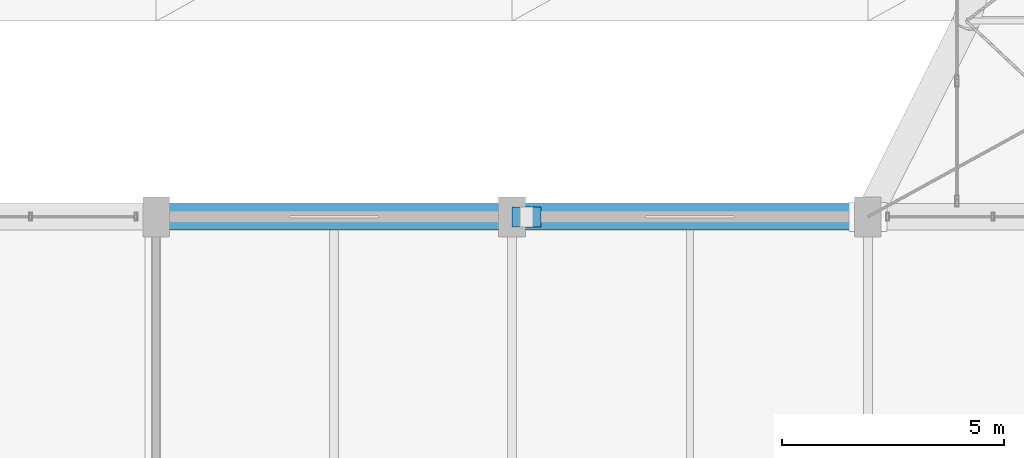
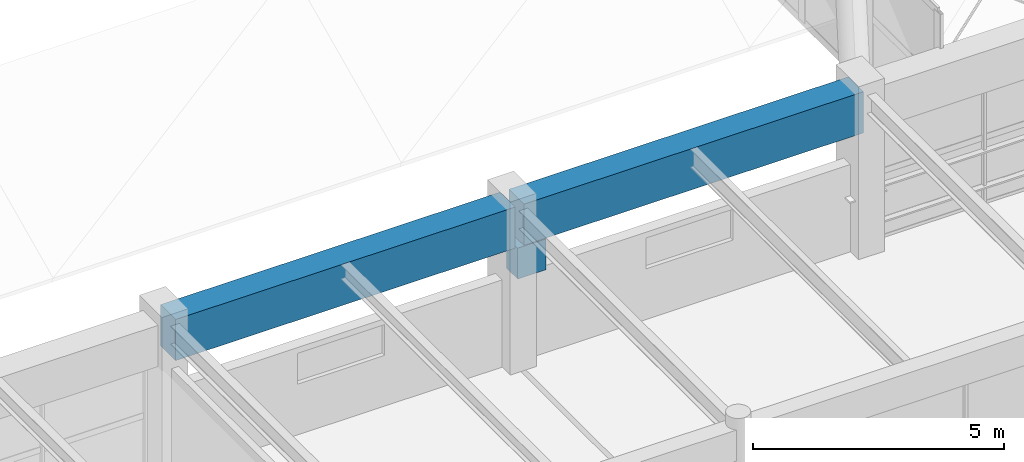
# One storey, part 32 of 126: 3 beams.
"""IFC4 building model written with IfcOpenShell, lengths in metres."""

import ifcopenshell
import ifcopenshell.guid

model = None  # the IFC model being written
_history = None  # IfcOwnerHistory: only IFC2X3 demands one
_inside = {}  # id of a spatial element -> (the spatial element, [elements in it])
_under = {}  # id of a project, library or spatial element -> (it, [spatial elements below it])
_declared = {}  # id of a project -> (the project, [libraries it declares])
_typed = {}  # id of a type object -> (the type object, [elements of that type])
_made_of = {}  # id of a material, layer set ... -> (it, [elements and type objects made of it])


def new_model(schema):
    """Start an empty IFC model of exactly this schema.

    Asked for "IFC4X3", IfcOpenShell would pick the latest addendum, in which some entities
    have other attributes; the version numbers below select the first issue.
    IFC2X3 requires an IfcOwnerHistory on every rooted entity: one is made here for all.
    """
    global model, _history
    if schema == "IFC4X3":
        model = ifcopenshell.file(schema_version=(4, 3, 0, 0))
    else:
        model = ifcopenshell.file(schema=schema)
    _inside.clear()
    _under.clear()
    _declared.clear()
    _typed.clear()
    _made_of.clear()
    _history = None
    if model.schema == "IFC2X3":
        org = make("IfcOrganization", Name="unknown")
        user = make(
            "IfcPersonAndOrganization",
            ThePerson=make("IfcPerson", FamilyName="unknown"),
            TheOrganization=org,
        )
        app = make(
            "IfcApplication",
            ApplicationDeveloper=org,
            Version="unknown",
            ApplicationFullName="unknown",
            ApplicationIdentifier="unknown",
        )
        _history = make(
            "IfcOwnerHistory",
            OwningUser=user,
            OwningApplication=app,
            ChangeAction="ADDED",
            CreationDate=0,
        )
    return model


def make(cls, **values):
    """One entity of the class cls with the attributes given. An attribute that is None is left unset."""
    return model.create_entity(
        cls, **{name: value for name, value in values.items() if value is not None}
    )


def rooted(cls, **values):
    """An entity with a GlobalId (a new one), such as an element, a storey or a relation."""
    return make(cls, GlobalId=ifcopenshell.guid.new(), OwnerHistory=_history, **values)


def si_unit(unit_type, name, prefix=None):
    """IfcSIUnit, for example si_unit("LENGTHUNIT", "METRE", prefix="MILLI")."""
    return make("IfcSIUnit", UnitType=unit_type, Prefix=prefix, Name=name)


def assignment(units):
    """IfcUnitAssignment: the units of a project."""
    return None if units is None else make("IfcUnitAssignment", Units=units)


def point(xyz):
    """IfcCartesianPoint."""
    return None if xyz is None else make("IfcCartesianPoint", Coordinates=xyz)


def direction(xyz):
    """IfcDirection."""
    return None if xyz is None else make("IfcDirection", DirectionRatios=xyz)


def frame(location, z_axis=None, x_axis=None):
    """IfcAxis2Placement3D, a coordinate frame: its origin and axes. An axis left out is left unset."""
    return make(
        "IfcAxis2Placement3D",
        Location=point(location),
        Axis=direction(z_axis),
        RefDirection=direction(x_axis),
    )


def frame_2d(location, x_axis=None):
    """IfcAxis2Placement2D, a coordinate frame in the plane: its origin and x axis."""
    return make(
        "IfcAxis2Placement2D", Location=point(location), RefDirection=direction(x_axis)
    )


def origin():
    """The frame at (0, 0, 0) with its axes left unset."""
    return frame((0.0, 0.0, 0.0))


def origin_2d():
    """The frame at (0, 0) in the plane with its x axis left unset."""
    return frame_2d((0.0, 0.0))


def place(relative_to, where):
    """IfcLocalPlacement: puts the frame where relative to a parent placement (None: the world)."""
    return make(
        "IfcLocalPlacement", PlacementRelTo=relative_to, RelativePlacement=where
    )


def context(
    kind, dimensions, precision=None, world=None, true_north=None, identifier=None
):
    """IfcGeometricRepresentationContext, for example the 3D "Model" context."""
    return make(
        "IfcGeometricRepresentationContext",
        ContextIdentifier=identifier,
        ContextType=kind,
        CoordinateSpaceDimension=dimensions,
        Precision=precision,
        WorldCoordinateSystem=world,
        TrueNorth=true_north,
    )


def subcontext(parent, identifier, kind, view, scale=None):
    """IfcGeometricRepresentationSubContext, for example "Body" below "Model"."""
    return make(
        "IfcGeometricRepresentationSubContext",
        ContextIdentifier=identifier,
        ContextType=kind,
        ParentContext=parent,
        TargetScale=scale,
        TargetView=view,
    )


def project(units=None, contexts=None):
    """IfcProject with its units and contexts."""
    return rooted(
        "IfcProject",
        Name="project",
        RepresentationContexts=contexts,
        UnitsInContext=assignment(units),
    )


def spatial(cls, under=None, at=None, **own):
    """A site, building, storey or space (cls), placed at a placement, below another one or the project."""
    s = rooted(cls, ObjectPlacement=at, **own)
    if under is not None:
        _under.setdefault(under.id(), (under, []))[1].append(s)
    return s


def profile(cls, at=None, kind="AREA", **sizes):
    """A parametric profile (cls). Its sizes go by their IFC names, for example OverallWidth=200.0."""
    return make(cls, ProfileType=kind, Position=at, **sizes)


def rectangle(**sizes):
    """IfcRectangleProfileDef."""
    return profile("IfcRectangleProfileDef", **sizes)


def extrude(swept, where, along, depth):
    """IfcExtrudedAreaSolid: the profile swept, set in the frame where, extruded along a direction by depth."""
    return make(
        "IfcExtrudedAreaSolid",
        SweptArea=swept,
        Position=where,
        ExtrudedDirection=direction(along),
        Depth=depth,
    )


def shape(context_of_items, identifier, shape_type, items):
    """IfcShapeRepresentation: the items that make up one representation, for example the "Body"."""
    return make(
        "IfcShapeRepresentation",
        ContextOfItems=context_of_items,
        RepresentationIdentifier=identifier,
        RepresentationType=shape_type,
        Items=items,
    )


def material(Name=None, Category=None):
    """IfcMaterial."""
    return make("IfcMaterial", Name=Name, Category=Category)


def material_profile(
    of_material, cross_section, Name=None, Category=None, Priority=None
):
    """IfcMaterialProfile: a cross section and its material."""
    return make(
        "IfcMaterialProfile",
        Name=Name,
        Material=of_material,
        Profile=cross_section,
        Priority=Priority,
        Category=Category,
    )


def profile_set(profiles, Name=None, composite=None):
    """IfcMaterialProfileSet."""
    return make(
        "IfcMaterialProfileSet",
        Name=Name,
        MaterialProfiles=profiles,
        CompositeProfile=composite,
    )


def made_of(thing, what):
    """Note that an element or type object is made of a material, layer set ...; save() writes the relation."""
    if what is not None:
        _made_of.setdefault(what.id(), (what, []))[1].append(thing)
    return thing


def type_object(cls, material=None, **own):
    """A type object (cls), such as IfcWallType, which elements share."""
    return made_of(rooted(cls, **own), material)


def element(
    cls,
    number,
    at=None,
    inside=None,
    cuts=None,
    type_object=None,
    material=None,
    context=None,
    identifier="Body",
    shape_type=None,
    held_by="IfcProductDefinitionShape",
    body=None,
    shapes=None,
    **own,
):
    """One element of the class cls, such as IfcWall. Its Tag is "e" and its number.

    at: its placement. inside: the storey or other place that contains it. cuts: it is an
    opening in that element (IfcRelVoidsElement). A single representation is given by context,
    identifier, shape_type and body (its items); several are given by shapes. held_by: the class
    of the entity that holds the representations. save() writes the other relations.
    """
    e = rooted(cls, Tag="e%d" % number, ObjectPlacement=at, **own)
    if body is not None:
        shapes = [shape(context, identifier, shape_type, body)]
    if shapes is not None:
        e.Representation = make(held_by, Representations=shapes)
    if inside is not None:
        _inside.setdefault(inside.id(), (inside, []))[1].append(e)
    if cuts is not None:
        rooted(
            "IfcRelVoidsElement", RelatingBuildingElement=cuts, RelatedOpeningElement=e
        )
    if type_object is not None:
        _typed.setdefault(type_object.id(), (type_object, []))[1].append(e)
    return made_of(e, material)


def aggregate(whole, parts):
    """IfcRelAggregates: a whole, such as a stair, and the parts it consists of."""
    return rooted("IfcRelAggregates", RelatingObject=whole, RelatedObjects=parts)


def save(model, path):
    """Write the relations noted so far, then the file.

    IfcRelAggregates (storeys below a building ...), IfcRelContainedInSpatialStructure (elements
    in a storey), IfcRelDefinesByType, IfcRelAssociatesMaterial and IfcRelDeclares: one each for
    every whole, place, type object, material and project.
    """
    for whole, parts in _under.values():
        aggregate(whole, parts)
    for where, things in _inside.values():
        rooted(
            "IfcRelContainedInSpatialStructure",
            RelatedElements=things,
            RelatingStructure=where,
        )
    for kind, things in _typed.values():
        rooted("IfcRelDefinesByType", RelatedObjects=things, RelatingType=kind)
    for what, things in _made_of.values():
        rooted("IfcRelAssociatesMaterial", RelatedObjects=things, RelatingMaterial=what)
    for by, libraries in _declared.values():
        rooted("IfcRelDeclares", RelatingContext=by, RelatedDefinitions=libraries)
    model.write(path)


model = new_model("IFC4")

# Units and contexts
model_context = context("Model", 3, precision=1e-05, world=origin(), true_north=direction((0.0, 1.0)))
body_context = subcontext(model_context, "Body", "Model", "MODEL_VIEW")
ifc_project = project(units=[si_unit("LENGTHUNIT", "METRE"), si_unit("AREAUNIT", "SQUARE_METRE"), si_unit("VOLUMEUNIT", "CUBIC_METRE"), si_unit("PLANEANGLEUNIT", "RADIAN"), si_unit("MASSUNIT", "GRAM", prefix="KILO")], contexts=[model_context])

# Site, building, storey
site_placement = place(None, origin())
site = spatial("IfcSite", under=ifc_project, at=site_placement, CompositionType="ELEMENT")
building_placement = place(site_placement, origin())
building = spatial("IfcBuilding", under=site, at=building_placement, Name="Varnabhumi Central Station", CompositionType="ELEMENT")
storey_placement = place(building_placement, frame((0.0, 0.0, 16.199951171875)))
storey = spatial("IfcBuildingStorey", under=building, at=storey_placement, Name="L03", CompositionType="ELEMENT", Elevation=16.199951171875)

# Beams
ifc_material_1 = material(Name="Concrete M40", Category="concrete")
ifc_material_profile_1 = material_profile(ifc_material_1, rectangle(XDim=0.449951171875, YDim=0.75, at=origin_2d()), Name="Concrete M40", Category="concrete")
ifc_profile_set_1 = profile_set([ifc_material_profile_1], Name="Concrete M40")
beam_type_1 = type_object("IfcBeamType", Name="BM-RC-450x750", PredefinedType="BEAM", material=ifc_profile_set_1)
beam_placement = place(storey_placement, frame((120.0, 36.0, 2.465087890625), z_axis=(1.0, 0.0, 0.0), x_axis=(0.0, 1.0, 0.0)))
element("IfcBeam", 1, at=beam_placement, inside=storey, type_object=beam_type_1, Name="Movement Joint 650mm Corbel Seat L03-E-16", PredefinedType="BEAM", context=body_context, shape_type="SweptSolid", body=[
    extrude(rectangle(XDim=0.449951171875, YDim=0.75, at=origin_2d()), origin(), (0.0, 0.0, 1.0), 0.64990234375),
])
ifc_material_2 = material(Name="Concrete M50", Category="concrete")
ifc_material_profile_2 = material_profile(ifc_material_2, rectangle(XDim=0.60009765625, YDim=1.0, at=origin_2d()), Name="Concrete M50", Category="concrete")
ifc_profile_set_2 = profile_set([ifc_material_profile_2], Name="Concrete M50")
beam_type_2 = type_object("IfcBeamType", Name="BM-RC-600x1000", PredefinedType="BEAM", material=ifc_profile_set_2)
for number, where, z_axis, x_axis, name in (
    (2, (112.10009765625, 36.0, 3.420166015625), (1.0, 0.0, 0.0), (0.0, 1.0, 0.0), "Beam L03-E:15-16"),
    (3, (120.10009765625, 36.0, 3.420166015625), (1.0, 0.0, 0.0), (0.0, 1.0, 0.0), "Beam L03-E:16-17"),
):
    element("IfcBeam", number, at=place(storey_placement, frame(where, z_axis=z_axis, x_axis=x_axis)), inside=storey, type_object=beam_type_2, Name=name, PredefinedType="BEAM", context=body_context, shape_type="SweptSolid", body=[
        extrude(rectangle(XDim=0.60009765625, YDim=1.0, at=origin_2d()), origin(), (0.0, 0.0, 1.0), 7.7998046875),
    ])

save(model, "model.ifc")
